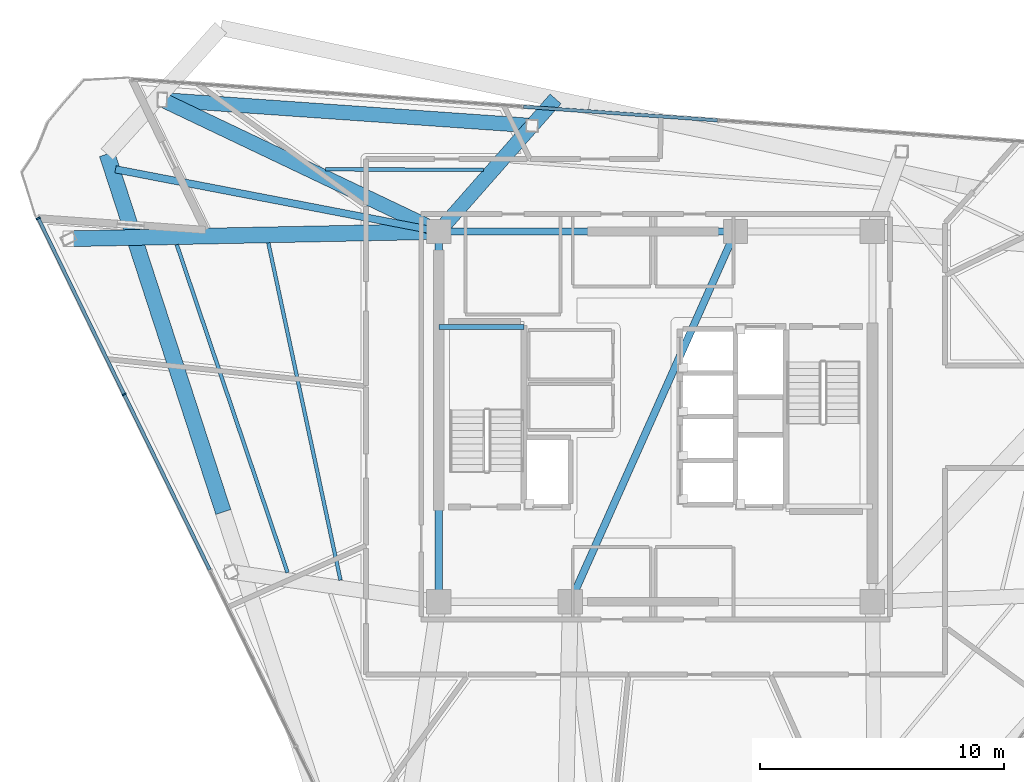
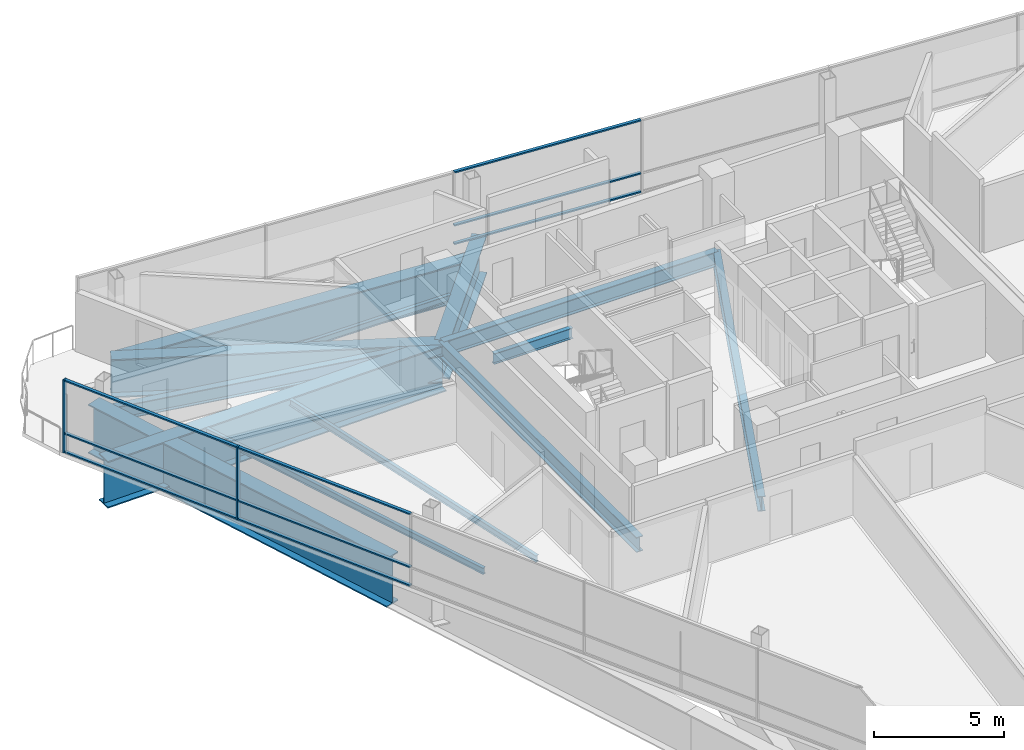
# One storey, part 5 of 14: 13 beams, 11 members, 2 elements without a shape of their own.
"""IFC4 building model written with IfcOpenShell, lengths in metres."""

from ifc_helpers import new_model, si_unit, direction, frame, origin, origin_2d, place, context, subcontext, project, spatial, rectangle, i_section, extrude, material, layer, layer_set, material_profile, profile_set, type_object, element, aggregate, save


model = new_model("IFC4")

# Units and contexts
model_context = context("Model", 3, precision=1e-05, world=origin(), true_north=direction((0.0, 1.0)))
body_context = subcontext(model_context, "Body", "Model", "MODEL_VIEW")
ifc_project = project(units=[si_unit("LENGTHUNIT", "METRE"), si_unit("AREAUNIT", "SQUARE_METRE"), si_unit("VOLUMEUNIT", "CUBIC_METRE"), si_unit("PLANEANGLEUNIT", "RADIAN"), si_unit("MASSUNIT", "GRAM", prefix="KILO")], contexts=[model_context])

# Site, building, storey
site_placement = place(None, origin())
site = spatial("IfcSite", under=ifc_project, at=site_placement, CompositionType="ELEMENT")
building_placement = place(site_placement, origin())
building = spatial("IfcBuilding", under=site, at=building_placement, Name="Tharavind Bronze Gate", CompositionType="ELEMENT")
storey_placement = place(building_placement, frame((0.0, 0.0, 227.050048828125)))
storey = spatial("IfcBuildingStorey", under=building, at=storey_placement, Name="L58", CompositionType="ELEMENT", Elevation=227.050048828125)

# Curtain wall, members
ifc_material_1 = material(Name="Anodised Bronze Aluminium", Category="aluminium")
ifc_layer = layer(ifc_material_1, 0.219970703125)
ifc_layer_set = layer_set([ifc_layer], Name="Anodised Bronze Aluminium")
curtain_wall_type = type_object("IfcCurtainWallType", Name="UNITISED CURTAIN WALL UPPER OFFICE", PredefinedType="USERDEFINED", material=ifc_layer_set)
curtain_wall_1_placement = place(storey_placement, origin())
curtain_wall_1 = element("IfcCurtainWall", 1, at=curtain_wall_1_placement, inside=storey, type_object=curtain_wall_type, Name="L58 unitised curtain wall upper office CW-L58-S1", ObjectType="UNITISED CURTAIN WALL", PredefinedType="USERDEFINED")
member_type_1 = type_object("IfcMemberType", Name="CURTAIN WALL BRONZE MULLION 65X180", PredefinedType="MULLION", material=ifc_material_1)
member_1_placement = place(storey_placement, frame((-25.337158203125, 8.140625, 0.0), z_axis=(0.0, 0.0, 1.0), x_axis=(0.438371146789, -0.898794046299, 0.0)))
member_1 = element("IfcMember", 2, at=member_1_placement, type_object=member_type_1, Name="CW-L58-S1 mullion 1", PredefinedType="MULLION", context=body_context, shape_type="SweptSolid", body=[
    extrude(rectangle(XDim=0.06494140625, YDim=0.179931640625, at=origin_2d()), origin(), (0.0, 0.0, 1.0), 3.419921875),
])
member_2_placement = place(storey_placement, frame((-21.8134765625, 0.916259765625, 0.0), z_axis=(0.0, 0.0, 1.0), x_axis=(0.438371146789, -0.898794046299, 0.0)))
member_2 = element("IfcMember", 3, at=member_2_placement, type_object=member_type_1, Name="CW-L58-S1 mullion 2", PredefinedType="MULLION", context=body_context, shape_type="SweptSolid", body=[
    extrude(rectangle(XDim=0.06494140625, YDim=0.179931640625, at=origin_2d()), origin(), (0.0, 0.0, 1.0), 3.419921875),
])
member_type_2 = type_object("IfcMemberType", Name="CURTAIN WALL BRONZE TRANSOM 65X140", PredefinedType="USERDEFINED", material=ifc_material_1)
member_3_placement = place(storey_placement, frame((-23.5751953125, 4.5283203125, 0.0), z_axis=(0.0, 0.0, 1.0), x_axis=(0.438371146789, -0.898794046299, 0.0)))
member_3 = element("IfcMember", 4, at=member_3_placement, type_object=member_type_2, Name="CW-L58-S1 transom TB1", ObjectType="TRANSOM", PredefinedType="USERDEFINED", context=body_context, shape_type="SweptSolid", body=[
    extrude(rectangle(XDim=7.985107421875, YDim=0.139892578125, at=origin_2d()), origin(), (0.0, 0.0, 1.0), 0.06494140625),
])
member_4_placement = place(storey_placement, frame((-23.5751953125, 4.5283203125, 0.867431640625), z_axis=(0.0, 0.0, 1.0), x_axis=(0.438371146789, -0.898794046299, 0.0)))
member_4 = element("IfcMember", 5, at=member_4_placement, type_object=member_type_2, Name="CW-L58-S1 transom TS1", ObjectType="TRANSOM", PredefinedType="USERDEFINED", context=body_context, shape_type="SweptSolid", body=[
    extrude(rectangle(XDim=7.985107421875, YDim=0.139892578125, at=origin_2d()), origin(), (0.0, 0.0, 1.0), 0.06494140625),
])
member_5_placement = place(storey_placement, frame((-23.5751953125, 4.5283203125, 3.35498046875), z_axis=(0.0, 0.0, 1.0), x_axis=(0.438371146789, -0.898794046299, 0.0)))
member_5 = element("IfcMember", 6, at=member_5_placement, type_object=member_type_2, Name="CW-L58-S1 transom TT1", ObjectType="TRANSOM", PredefinedType="USERDEFINED", context=body_context, shape_type="SweptSolid", body=[
    extrude(rectangle(XDim=7.985107421875, YDim=0.139892578125, at=origin_2d()), origin(), (0.0, 0.0, 1.0), 0.06494140625),
])
member_6_placement = place(storey_placement, frame((-20.051513671875, -2.696044921875, 0.0), z_axis=(0.0, 0.0, 1.0), x_axis=(0.438371146789, -0.898794046299, 0.0)))
member_6 = element("IfcMember", 7, at=member_6_placement, type_object=member_type_2, Name="CW-L58-S1 transom TB2", ObjectType="TRANSOM", PredefinedType="USERDEFINED", context=body_context, shape_type="SweptSolid", body=[
    extrude(rectangle(XDim=7.985107421875, YDim=0.139892578125, at=origin_2d()), origin(), (0.0, 0.0, 1.0), 0.06494140625),
])
member_7_placement = place(storey_placement, frame((-20.051513671875, -2.696044921875, 0.867431640625), z_axis=(0.0, 0.0, 1.0), x_axis=(0.438371146789, -0.898794046299, 0.0)))
member_7 = element("IfcMember", 8, at=member_7_placement, type_object=member_type_2, Name="CW-L58-S1 transom TS2", ObjectType="TRANSOM", PredefinedType="USERDEFINED", context=body_context, shape_type="SweptSolid", body=[
    extrude(rectangle(XDim=7.985107421875, YDim=0.139892578125, at=origin_2d()), origin(), (0.0, 0.0, 1.0), 0.06494140625),
])
member_8_placement = place(storey_placement, frame((-20.051513671875, -2.696044921875, 3.35498046875), z_axis=(0.0, 0.0, 1.0), x_axis=(0.438371146789, -0.898794046299, 0.0)))
member_8 = element("IfcMember", 9, at=member_8_placement, type_object=member_type_2, Name="CW-L58-S1 transom TT2", ObjectType="TRANSOM", PredefinedType="USERDEFINED", context=body_context, shape_type="SweptSolid", body=[
    extrude(rectangle(XDim=7.985107421875, YDim=0.139892578125, at=origin_2d()), origin(), (0.0, 0.0, 1.0), 0.06494140625),
])
aggregate(curtain_wall_1, [member_1, member_2, member_3, member_4, member_5, member_6, member_7, member_8])

curtain_wall_2_placement = place(storey_placement, origin())
curtain_wall_2 = element("IfcCurtainWall", 10, at=curtain_wall_2_placement, inside=storey, type_object=curtain_wall_type, Name="L58 unitised curtain wall upper office CW-L58-S3", ObjectType="UNITISED CURTAIN WALL", PredefinedType="USERDEFINED")
member_9_placement = place(storey_placement, frame((-1.44384765625, 12.442626953125, 0.0), z_axis=(0.0, 0.0, 1.0), x_axis=(-0.99756392851, 0.069758214822, 0.0)))
member_9 = element("IfcMember", 11, at=member_9_placement, type_object=member_type_2, Name="CW-L58-S3 transom TB4", ObjectType="TRANSOM", PredefinedType="USERDEFINED", context=body_context, shape_type="SweptSolid", body=[
    extrude(rectangle(XDim=7.985107421875, YDim=0.139892578125, at=origin_2d()), origin(), (0.0, 0.0, 1.0), 0.06494140625),
])
member_10_placement = place(storey_placement, frame((-1.44384765625, 12.442626953125, 0.867431640625), z_axis=(0.0, 0.0, 1.0), x_axis=(-0.99756392851, 0.069758214822, 0.0)))
member_10 = element("IfcMember", 12, at=member_10_placement, type_object=member_type_2, Name="CW-L58-S3 transom TS4", ObjectType="TRANSOM", PredefinedType="USERDEFINED", context=body_context, shape_type="SweptSolid", body=[
    extrude(rectangle(XDim=7.985107421875, YDim=0.139892578125, at=origin_2d()), origin(), (0.0, 0.0, 1.0), 0.06494140625),
])
member_11_placement = place(storey_placement, frame((-1.44384765625, 12.442626953125, 3.35498046875), z_axis=(0.0, 0.0, 1.0), x_axis=(-0.99756392851, 0.069758214822, 0.0)))
member_11 = element("IfcMember", 13, at=member_11_placement, type_object=member_type_2, Name="CW-L58-S3 transom TT4", ObjectType="TRANSOM", PredefinedType="USERDEFINED", context=body_context, shape_type="SweptSolid", body=[
    extrude(rectangle(XDim=7.985107421875, YDim=0.139892578125, at=origin_2d()), origin(), (0.0, 0.0, 1.0), 0.06494140625),
])
aggregate(curtain_wall_2, [member_9, member_10, member_11])

# Beams
ifc_material_2 = material(Name="Steel S355", Category="steel")
ifc_material_profile_1 = material_profile(ifc_material_2, i_section(OverallWidth=0.300048828125, OverallDepth=0.64990234375, WebThickness=0.01611328125, FlangeThickness=0.031005859375, at=origin_2d()), Name="HE650B")
ifc_profile_set_1 = profile_set([ifc_material_profile_1], Name="Steel S355")
beam_type_1 = type_object("IfcBeamType", Name="PRIMARY GIRDER HE650B", PredefinedType="USERDEFINED", material=ifc_profile_set_1)
beam_1_placement = place(storey_placement, frame((-8.89990234375, 7.60009765625, -0.51513671875), z_axis=(-0.981981954997, 0.18897470746, 0.0), x_axis=(-0.18897470746, -0.981981954997, 0.0)))
element("IfcBeam", 14, at=beam_1_placement, inside=storey, type_object=beam_type_1, Name="L58 primary girder he650b BM-L58-BLCSB", ObjectType="GIRDER", PredefinedType="USERDEFINED", context=body_context, shape_type="SweptSolid", body=[
    extrude(i_section(OverallWidth=0.300048828125, OverallDepth=0.64990234375, WebThickness=0.01611328125, FlangeThickness=0.031005859375, at=origin_2d()), origin(), (0.0, 0.0, 1.0), 13.513427734375),
])
ifc_material_profile_2 = material_profile(ifc_material_2, i_section(OverallWidth=0.199951171875, OverallDepth=0.5, WebThickness=0.01025390625, FlangeThickness=0.01611328125, at=origin_2d()), Name="IPE500")
ifc_profile_set_2 = profile_set([ifc_material_profile_2], Name="Steel S355")
beam_type_2 = type_object("IfcBeamType", Name="PRIMARY GIRDER IPE500", PredefinedType="USERDEFINED", material=ifc_profile_set_2)
beam_2_placement = place(storey_placement, frame((-8.89990234375, 3.679931640625, 1.349853515625), z_axis=(1.0, 0.0, 0.0), x_axis=(0.0, 1.0, 0.0)))
element("IfcBeam", 15, at=beam_2_placement, inside=storey, type_object=beam_type_2, Name="L58 primary girder ipe500 BM-LD-ST1-L58-1", ObjectType="GIRDER", PredefinedType="USERDEFINED", context=body_context, shape_type="SweptSolid", body=[
    extrude(i_section(OverallWidth=0.199951171875, OverallDepth=0.5, WebThickness=0.01025390625, FlangeThickness=0.01611328125, at=origin_2d()), origin(), (0.0, 0.0, 1.0), 3.5),
])
ifc_material_profile_3 = material_profile(ifc_material_2, i_section(OverallWidth=0.300048828125, OverallDepth=0.699951171875, WebThickness=0.01708984375, FlangeThickness=0.031982421875, at=origin_2d()), Name="HE700B")
ifc_profile_set_3 = profile_set([ifc_material_profile_3], Name="Steel S355")
beam_type_3 = type_object("IfcBeamType", Name="RING GIRDER HE700B", PredefinedType="USERDEFINED", material=ifc_profile_set_3)
beam_3_placement = place(storey_placement, frame((3.280029296875, 7.60009765625, -0.5400390625), z_axis=(-1.0, 0.0, 0.0), x_axis=(0.0, -1.0, 0.0)))
element("IfcBeam", 16, at=beam_3_placement, inside=storey, type_object=beam_type_3, Name="L58 ring girder he700b BM-L58-CR5", ObjectType="GIRDER", PredefinedType="USERDEFINED", context=body_context, shape_type="SweptSolid", body=[
    extrude(i_section(OverallWidth=0.300048828125, OverallDepth=0.699951171875, WebThickness=0.01708984375, FlangeThickness=0.031982421875, at=origin_2d()), origin(), (0.0, 0.0, 1.0), 12.179931640625),
])
beam_4_placement = place(storey_placement, frame((-8.89990234375, 7.60009765625, -0.5400390625), z_axis=(0.0, -1.0, 0.0), x_axis=(1.0, 0.0, 0.0)))
element("IfcBeam", 17, at=beam_4_placement, inside=storey, type_object=beam_type_3, Name="L58 ring girder he700b BM-L58-CR6", ObjectType="GIRDER", PredefinedType="USERDEFINED", context=body_context, shape_type="SweptSolid", body=[
    extrude(i_section(OverallWidth=0.300048828125, OverallDepth=0.699951171875, WebThickness=0.01708984375, FlangeThickness=0.031982421875, at=origin_2d()), origin(), (0.0, 0.0, 1.0), 15.2001953125),
])
beam_5_placement = place(storey_placement, frame((-3.5, -7.60009765625, -0.5400390625), z_axis=(0.407361644566, 0.913266932795, 0.0), x_axis=(-0.913266932795, 0.407361644566, 0.0)))
element("IfcBeam", 18, at=beam_5_placement, inside=storey, type_object=beam_type_3, Name="L58 ring girder he700b BM-L58-CR7", ObjectType="GIRDER", PredefinedType="USERDEFINED", context=body_context, shape_type="SweptSolid", body=[
    extrude(i_section(OverallWidth=0.300048828125, OverallDepth=0.699951171875, WebThickness=0.01708984375, FlangeThickness=0.031982421875, at=origin_2d()), origin(), (0.0, 0.0, 1.0), 16.643798828125),
])
ifc_material_profile_4 = material_profile(ifc_material_2, i_section(OverallWidth=0.14990234375, OverallDepth=0.300048828125, WebThickness=0.007080078125, FlangeThickness=0.0107421875, at=origin_2d()), Name="IPE300")
ifc_profile_set_4 = profile_set([ifc_material_profile_4], Name="Steel S355")
beam_type_4 = type_object("IfcBeamType", Name="SECONDARY FLOOR JOIST IPE300", PredefinedType="JOIST", material=ifc_profile_set_4)
beam_6_placement = place(storey_placement, frame((-15.89501953125, 7.1337890625, -0.340087890625), z_axis=(0.209257044571, -0.977860669675, 0.0), x_axis=(0.977860669675, 0.209257044571, 0.0)))
element("IfcBeam", 19, at=beam_6_placement, inside=storey, type_object=beam_type_4, Name="L58 secondary floor joist ipe300 BM-L58-JSTA01", PredefinedType="JOIST", context=body_context, shape_type="SweptSolid", body=[
    extrude(i_section(OverallWidth=0.14990234375, OverallDepth=0.300048828125, WebThickness=0.007080078125, FlangeThickness=0.0107421875, at=origin_2d()), origin(), (0.0, 0.0, 1.0), 14.157958984375),
])
beam_7_placement = place(storey_placement, frame((-19.65283203125, 7.06005859375, -0.340087890625), z_axis=(0.320159147705, -0.947363773923, 0.0), x_axis=(0.947363773923, 0.320159147705, 0.0)))
element("IfcBeam", 20, at=beam_7_placement, inside=storey, type_object=beam_type_4, Name="L58 secondary floor joist ipe300 BM-L58-JSTB01", PredefinedType="JOIST", context=body_context, shape_type="SweptSolid", body=[
    extrude(i_section(OverallWidth=0.14990234375, OverallDepth=0.300048828125, WebThickness=0.007080078125, FlangeThickness=0.0107421875, at=origin_2d()), origin(), (0.0, 0.0, 1.0), 14.205078125),
])
beam_8_placement = place(storey_placement, frame((-7.0732421875, 10.132568359375, -0.340087890625), z_axis=(-0.999995460738, 0.00301305551, 0.0), x_axis=(-0.00301305551, -0.999995460738, 0.0)))
element("IfcBeam", 21, at=beam_8_placement, inside=storey, type_object=beam_type_4, Name="L58 secondary floor joist ipe300 BM-L58-JSTA11", PredefinedType="JOIST", context=body_context, shape_type="SweptSolid", body=[
    extrude(i_section(OverallWidth=0.14990234375, OverallDepth=0.300048828125, WebThickness=0.007080078125, FlangeThickness=0.0107421875, at=origin_2d()), origin(), (0.0, 0.0, 1.0), 6.482177734375),
])
ifc_material_3 = material(Name="Steel S460", Category="steel")
ifc_material_profile_5 = material_profile(ifc_material_3, i_section(OverallWidth=0.60009765625, OverallDepth=1.800048828125, WebThickness=0.031982421875, FlangeThickness=0.054931640625, at=origin_2d()), Name="PG1800X600")
ifc_profile_set_5 = profile_set([ifc_material_profile_5], Name="Steel S460")
beam_type_5 = type_object("IfcBeamType", Name="TRANSFER GIRDER 1800X600", PredefinedType="USERDEFINED", material=ifc_profile_set_5)
beam_9_placement = place(storey_placement, frame((-5.0732421875, 11.944580078125, -1.090087890625), z_axis=(-0.997563917828, 0.069758367582, 0.0), x_axis=(-0.069758367582, -0.997563917828, 0.0)))
element("IfcBeam", 22, at=beam_9_placement, inside=storey, type_object=beam_type_5, Name="L58 transfer girder 1800x600 BM-L58-URG11", ObjectType="TRANSFER GIRDER", PredefinedType="USERDEFINED", context=body_context, shape_type="SweptSolid", body=[
    extrude(i_section(OverallWidth=0.60009765625, OverallDepth=1.800048828125, WebThickness=0.031982421875, FlangeThickness=0.054931640625, at=origin_2d()), origin(), (0.0, 0.0, 1.0), 15.210205078125),
])
beam_10_placement = place(storey_placement, frame((-8.89990234375, 7.60009765625, -1.090087890625), z_axis=(0.660960153313, 0.750420998995, 0.0), x_axis=(-0.750420998995, 0.660960153313, 0.0)))
element("IfcBeam", 23, at=beam_10_placement, inside=storey, type_object=beam_type_5, Name="L58 transfer girder 1800x600 BM-L58-XFR11", ObjectType="TRANSFER GIRDER", PredefinedType="USERDEFINED", context=body_context, shape_type="SweptSolid", body=[
    extrude(i_section(OverallWidth=0.60009765625, OverallDepth=1.800048828125, WebThickness=0.031982421875, FlangeThickness=0.054931640625, at=origin_2d()), origin(), (0.0, 0.0, 1.0), 7.253662109375),
])
beam_11_placement = place(storey_placement, frame((-8.89990234375, 7.60009765625, -1.090087890625), z_axis=(-0.902783120566, 0.430096079058, 0.0), x_axis=(-0.430096079058, -0.902783120566, 0.0)))
element("IfcBeam", 24, at=beam_11_placement, inside=storey, type_object=beam_type_5, Name="L58 transfer girder 1800x600 BM-L58-XFR12", ObjectType="TRANSFER GIRDER", PredefinedType="USERDEFINED", context=body_context, shape_type="SweptSolid", body=[
    extrude(i_section(OverallWidth=0.60009765625, OverallDepth=1.800048828125, WebThickness=0.031982421875, FlangeThickness=0.054931640625, at=origin_2d()), origin(), (0.0, 0.0, 1.0), 12.771484375),
])
ifc_material_profile_6 = material_profile(ifc_material_3, i_section(OverallWidth=0.64990234375, OverallDepth=2.199951171875, WebThickness=0.035888671875, FlangeThickness=0.054931640625, at=origin_2d()), Name="PG2200X650")
ifc_profile_set_6 = profile_set([ifc_material_profile_6], Name="Steel S460")
beam_type_6 = type_object("IfcBeamType", Name="TRANSFER GIRDER 2200X650", PredefinedType="USERDEFINED", material=ifc_profile_set_6)
beam_12_placement = place(storey_placement, frame((-8.89990234375, 7.60009765625, -1.2900390625), z_axis=(-0.999807586961, -0.019616040745, 0.0), x_axis=(0.019616040745, -0.999807586961, 0.0)))
element("IfcBeam", 25, at=beam_12_placement, inside=storey, type_object=beam_type_6, Name="L58 transfer girder 2200x650 BM-L58-XFR01", ObjectType="TRANSFER GIRDER", PredefinedType="USERDEFINED", context=body_context, shape_type="SweptSolid", body=[
    extrude(i_section(OverallWidth=0.64990234375, OverallDepth=2.199951171875, WebThickness=0.035888671875, FlangeThickness=0.054931640625, at=origin_2d()), origin(), (0.0, 0.0, 1.0), 15.196533203125),
])
ifc_material_profile_7 = material_profile(ifc_material_3, i_section(OverallWidth=0.64990234375, OverallDepth=2.300048828125, WebThickness=0.035888671875, FlangeThickness=0.05810546875, at=origin_2d()), Name="PG2300X650")
ifc_profile_set_7 = profile_set([ifc_material_profile_7], Name="Steel S460")
beam_type_7 = type_object("IfcBeamType", Name="TRANSFER GIRDER 2300X650", PredefinedType="USERDEFINED", material=ifc_profile_set_7)
beam_13_placement = place(storey_placement, frame((-22.515380859375, 10.77685546875, -1.340087890625), z_axis=(0.309006009957, -0.951060085279, 0.0), x_axis=(0.951060085279, 0.309006009957, 0.0)))
element("IfcBeam", 26, at=beam_13_placement, inside=storey, type_object=beam_type_7, Name="L58 transfer girder 2300x650 BM-L58-LRG01", ObjectType="TRANSFER GIRDER", PredefinedType="USERDEFINED", context=body_context, shape_type="SweptSolid", body=[
    extrude(i_section(OverallWidth=0.64990234375, OverallDepth=2.300048828125, WebThickness=0.035888671875, FlangeThickness=0.05810546875, at=origin_2d()), origin(), (0.0, 0.0, 1.0), 15.4453125),
])

save(model, "model.ifc")
